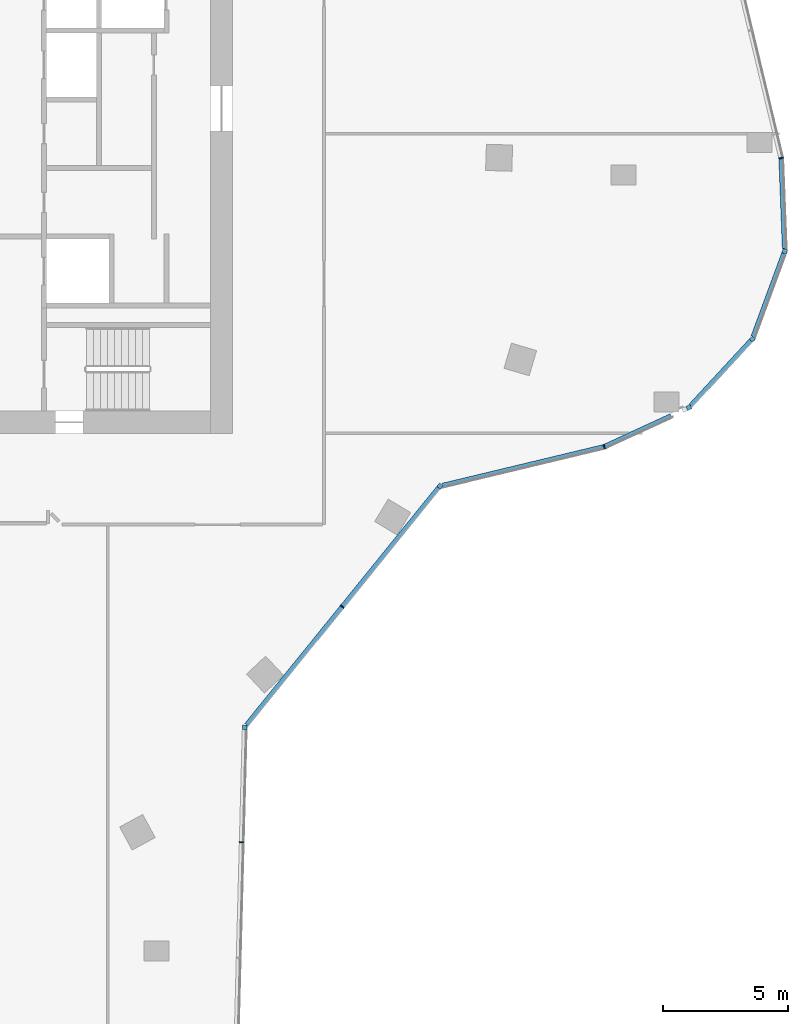
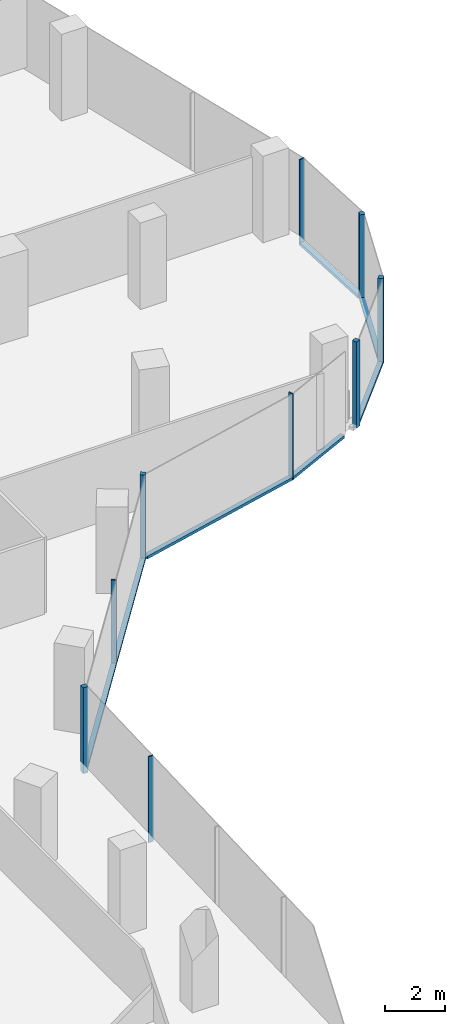
# One storey, part 9 of 26: 15 members, 7 elements without a shape of their own.
"""IFC4 building model written with IfcOpenShell, lengths in metres."""

from ifc_helpers import new_model, si_unit, direction, frame, origin, origin_2d, place, context, subcontext, project, spatial, rectangle, extrude, material, material_profile, profile_set, type_object, element, aggregate, save


model = new_model("IFC4")

# Units and contexts
model_context = context("Model", 3, precision=1e-05, world=origin(), true_north=direction((0.0, 1.0)))
body_context = subcontext(model_context, "Body", "Model", "MODEL_VIEW")
ifc_project = project(units=[si_unit("LENGTHUNIT", "METRE"), si_unit("AREAUNIT", "SQUARE_METRE"), si_unit("VOLUMEUNIT", "CUBIC_METRE"), si_unit("PLANEANGLEUNIT", "RADIAN"), si_unit("MASSUNIT", "GRAM", prefix="KILO")], contexts=[model_context])

# Site, building, storey
site_placement = place(None, origin())
site = spatial("IfcSite", under=ifc_project, at=site_placement, CompositionType="ELEMENT")
building_placement = place(site_placement, origin())
building = spatial("IfcBuilding", under=site, at=building_placement, Name="Orlundy Tower", CompositionType="ELEMENT")
storey_placement = place(building_placement, frame((0.0, 0.0, 214.0)))
storey = spatial("IfcBuildingStorey", under=building, at=storey_placement, Name="L56", CompositionType="ELEMENT", Elevation=214.0)

# Curtain wall, member
ifc_material_1 = material(Name="Aluminium bronze anodised", Category="aluminium")
curtain_wall_type = type_object("IfcCurtainWallType", Name="CW1 wall", PredefinedType="NOTDEFINED", material=ifc_material_1)
curtain_wall_1_placement = place(storey_placement, origin())
curtain_wall_1 = element("IfcCurtainWall", 1, at=curtain_wall_1_placement, inside=storey, type_object=curtain_wall_type, Name="CW1 run 013", PredefinedType="NOTDEFINED")
ifc_material_2 = material(Name="Aluminium bronze anodised", Category="aluminium")
ifc_material_profile_1 = material_profile(ifc_material_2, rectangle(XDim=0.179931640625, YDim=0.179931640625, at=origin_2d()), Name="CW1 corner post 180x180")
ifc_profile_set_1 = profile_set([ifc_material_profile_1], Name="Aluminium bronze anodised")
member_type_1 = type_object("IfcMemberType", Name="CW1 corner post 180x180", PredefinedType="MULLION", material=ifc_profile_set_1)
member_1_placement = place(storey_placement, frame((41.095703125, -4.707275390625, -0.39990234375), z_axis=(0.0, 0.0, 1.0), x_axis=(0.938167941859, -0.346180462863, 0.0)))
member_1 = element("IfcMember", 2, at=member_1_placement, type_object=member_type_1, Name="CW1 mullion 37", PredefinedType="MULLION", context=body_context, shape_type="SweptSolid", body=[
    extrude(rectangle(XDim=0.179931640625, YDim=0.179931640625, at=origin_2d()), origin(), (0.0, 0.0, 1.0), 3.47998046875),
])

curtain_wall_2_placement = place(storey_placement, origin())
curtain_wall_2 = element("IfcCurtainWall", 3, at=curtain_wall_2_placement, inside=storey, type_object=curtain_wall_type, Name="CW1 run 014", PredefinedType="NOTDEFINED")
member_2_placement = place(storey_placement, frame((39.80029296875, -8.218017578125, -0.39990234375), z_axis=(0.0, 0.0, 1.0), x_axis=(0.734348182738, -0.678772971258, 0.0)))
member_2 = element("IfcMember", 4, at=member_2_placement, type_object=member_type_1, Name="CW1 mullion 38", PredefinedType="MULLION", context=body_context, shape_type="SweptSolid", body=[
    extrude(rectangle(XDim=0.179931640625, YDim=0.179931640625, at=origin_2d()), origin(), (0.0, 0.0, 1.0), 3.47998046875),
])

curtain_wall_3_placement = place(storey_placement, origin())
curtain_wall_3 = element("IfcCurtainWall", 5, at=curtain_wall_3_placement, inside=storey, type_object=curtain_wall_type, Name="CW1 run 015", PredefinedType="NOTDEFINED")
member_3_placement = place(storey_placement, frame((37.260009765625, -10.96630859375, -0.39990234375), z_axis=(0.0, 0.0, 1.0), x_axis=(0.418715973467, -0.908117246595, 0.0)))
member_3 = element("IfcMember", 6, at=member_3_placement, type_object=member_type_1, Name="CW1 mullion 39", PredefinedType="MULLION", context=body_context, shape_type="SweptSolid", body=[
    extrude(rectangle(XDim=0.179931640625, YDim=0.179931640625, at=origin_2d()), origin(), (0.0, 0.0, 1.0), 3.47998046875),
])

curtain_wall_4_placement = place(storey_placement, origin())
curtain_wall_4 = element("IfcCurtainWall", 7, at=curtain_wall_4_placement, inside=storey, type_object=curtain_wall_type, Name="CW1 run 017", PredefinedType="NOTDEFINED")
member_4_placement = place(storey_placement, frame((27.293701171875, -14.1083984375, -0.39990234375), z_axis=(0.0, 0.0, 1.0), x_axis=(0.777119891969, -0.629352582823, 0.0)))
member_4 = element("IfcMember", 8, at=member_4_placement, type_object=member_type_1, Name="CW1 mullion 41", PredefinedType="MULLION", context=body_context, shape_type="SweptSolid", body=[
    extrude(rectangle(XDim=0.179931640625, YDim=0.179931640625, at=origin_2d()), origin(), (0.0, 0.0, 1.0), 3.47998046875),
])

curtain_wall_5_placement = place(storey_placement, origin())
curtain_wall_5 = element("IfcCurtainWall", 9, at=curtain_wall_5_placement, inside=storey, type_object=curtain_wall_type, Name="CW1 run 018", PredefinedType="NOTDEFINED")
member_5_placement = place(storey_placement, frame((19.47412109375, -23.763916015625, -0.39990234375), z_axis=(0.0, 0.0, 1.0), x_axis=(0.999657620616, -0.026165655813, 0.0)))
member_5 = element("IfcMember", 10, at=member_5_placement, type_object=member_type_1, Name="CW1 mullion 43", PredefinedType="MULLION", context=body_context, shape_type="SweptSolid", body=[
    extrude(rectangle(XDim=0.179931640625, YDim=0.179931640625, at=origin_2d()), origin(), (0.0, 0.0, 1.0), 3.47998046875),
])

curtain_wall_6_placement = place(storey_placement, origin())
curtain_wall_6 = element("IfcCurtainWall", 11, at=curtain_wall_6_placement, inside=storey, type_object=curtain_wall_type, Name="CW1 run 012", PredefinedType="NOTDEFINED")
ifc_material_3 = material(Name="Aluminium bronze anodised", Category="aluminium")
ifc_material_profile_2 = material_profile(ifc_material_3, rectangle(XDim=0.179931640625, YDim=0.050048828125, at=origin_2d()), Name="CW1 mullion 50x180")
ifc_profile_set_2 = profile_set([ifc_material_profile_2], Name="Aluminium bronze anodised")
member_type_2 = type_object("IfcMemberType", Name="CW1 mullion 50x180", PredefinedType="MULLION", material=ifc_profile_set_2)
member_6_placement = place(storey_placement, frame((40.949462890625, -0.9765625, -0.39990234375), z_axis=(0.0, 0.0, 1.0), x_axis=(0.990577259455, 0.136955076761, 0.0)))
member_6 = element("IfcMember", 12, at=member_6_placement, type_object=member_type_2, Name="CW1 mullion 36", PredefinedType="MULLION", context=body_context, shape_type="SweptSolid", body=[
    extrude(rectangle(XDim=0.179931640625, YDim=0.050048828125, at=origin_2d()), origin(), (0.0, 0.0, 1.0), 3.47998046875),
])

curtain_wall_7_placement = place(storey_placement, origin())
curtain_wall_7 = element("IfcCurtainWall", 13, at=curtain_wall_7_placement, inside=storey, type_object=curtain_wall_type, Name="CW1 run 016", PredefinedType="NOTDEFINED")
member_7_placement = place(storey_placement, frame((33.86962890625, -12.529541015625, -0.39990234375), z_axis=(0.0, 0.0, 1.0), x_axis=(0.327673002803, -0.944791195574, 0.0)))
member_7 = element("IfcMember", 14, at=member_7_placement, type_object=member_type_2, Name="CW1 mullion 40", PredefinedType="MULLION", context=body_context, shape_type="SweptSolid", body=[
    extrude(rectangle(XDim=0.179931640625, YDim=0.050048828125, at=origin_2d()), origin(), (0.0, 0.0, 1.0), 3.47998046875),
])

# Member
member_8_placement = place(storey_placement, frame((23.384033203125, -18.93603515625, -0.39990234375), z_axis=(0.0, 0.0, 1.0), x_axis=(0.777119891969, -0.629352582823, 0.0)))
member_8 = element("IfcMember", 15, at=member_8_placement, type_object=member_type_2, Name="CW1 mullion 42", PredefinedType="MULLION", context=body_context, shape_type="SweptSolid", body=[
    extrude(rectangle(XDim=0.179931640625, YDim=0.050048828125, at=origin_2d()), origin(), (0.0, 0.0, 1.0), 3.47998046875),
])

member_9_placement = place(storey_placement, frame((19.353759765625, -28.362548828125, -0.39990234375), z_axis=(0.0, 0.0, 1.0), x_axis=(0.999657620616, -0.026165655813, 0.0)))
member_9 = element("IfcMember", 16, at=member_9_placement, type_object=member_type_2, Name="CW1 mullion 44", PredefinedType="MULLION", context=body_context, shape_type="SweptSolid", body=[
    extrude(rectangle(XDim=0.179931640625, YDim=0.050048828125, at=origin_2d()), origin(), (0.0, 0.0, 1.0), 3.47998046875),
])

aggregate(curtain_wall_5, [member_5, member_9])

ifc_material_4 = material(Name="Aluminium bronze anodised", Category="aluminium")
ifc_material_profile_3 = material_profile(ifc_material_4, rectangle(XDim=0.179931640625, YDim=0.1201171875, at=origin_2d()), Name="CW1 transom 180x120")
ifc_profile_set_3 = profile_set([ifc_material_profile_3], Name="Aluminium bronze anodised")
member_type_3 = type_object("IfcMemberType", Name="CW1 transom 180x120", PredefinedType="USERDEFINED", material=ifc_profile_set_3)
member_10_placement = place(storey_placement, frame((40.95068359375, -1.001708984375, -0.340087890625), z_axis=(0.03907703141, -0.999236201114, 0.0), x_axis=(0.999236201114, 0.03907703141, 0.0)))
member_10 = element("IfcMember", 17, at=member_10_placement, type_object=member_type_3, Name="CW1 transom", ObjectType="TRANSOM", PredefinedType="USERDEFINED", context=body_context, shape_type="SweptSolid", body=[
    extrude(rectangle(XDim=0.179931640625, YDim=0.1201171875, at=origin_2d()), origin(), (0.0, 0.0, 1.0), 3.611083984375),
])

aggregate(curtain_wall_6, [member_6, member_10])

member_11_placement = place(storey_placement, frame((41.064453125, -4.791748046875, -0.340087890625), z_axis=(-0.346173212569, -0.938170617159, 0.0), x_axis=(0.938170617159, -0.346173212569, 0.0)))
member_11 = element("IfcMember", 18, at=member_11_placement, type_object=member_type_3, Name="CW1 transom", ObjectType="TRANSOM", PredefinedType="USERDEFINED", context=body_context, shape_type="SweptSolid", body=[
    extrude(rectangle(XDim=0.179931640625, YDim=0.1201171875, at=origin_2d()), origin(), (0.0, 0.0, 1.0), 3.554443359375),
])

aggregate(curtain_wall_1, [member_1, member_11])

member_12_placement = place(storey_placement, frame((39.7392578125, -8.283935546875, -0.340087890625), z_axis=(-0.678747720383, -0.73437152183, 0.0), x_axis=(0.73437152183, -0.678747720383, 0.0)))
member_12 = element("IfcMember", 19, at=member_12_placement, type_object=member_type_3, Name="CW1 transom", ObjectType="TRANSOM", PredefinedType="USERDEFINED", context=body_context, shape_type="SweptSolid", body=[
    extrude(rectangle(XDim=0.179931640625, YDim=0.1201171875, at=origin_2d()), origin(), (0.0, 0.0, 1.0), 3.55517578125),
])

aggregate(curtain_wall_2, [member_2, member_12])

member_13_placement = place(storey_placement, frame((36.549072265625, -11.2939453125, -0.340087890625), z_axis=(-0.908100993788, -0.418751220991, 0.0), x_axis=(0.418751220991, -0.908100993788, 0.0)))
member_13 = element("IfcMember", 20, at=member_13_placement, type_object=member_type_3, Name="CW1 transom", ObjectType="TRANSOM", PredefinedType="USERDEFINED", context=body_context, shape_type="SweptSolid", body=[
    extrude(rectangle(XDim=0.179931640625, YDim=0.1201171875, at=origin_2d()), origin(), (0.0, 0.0, 1.0), 2.925537109375),
])

aggregate(curtain_wall_3, [member_3, member_13])

member_14_placement = place(storey_placement, frame((33.84521484375, -12.535400390625, -0.340087890625), z_axis=(-0.972369902836, -0.233445437007, 0.0), x_axis=(0.233445437007, -0.972369902836, 0.0)))
member_14 = element("IfcMember", 21, at=member_14_placement, type_object=member_type_3, Name="CW1 transom", ObjectType="TRANSOM", PredefinedType="USERDEFINED", context=body_context, shape_type="SweptSolid", body=[
    extrude(rectangle(XDim=0.179931640625, YDim=0.1201171875, at=origin_2d()), origin(), (0.0, 0.0, 1.0), 6.624267578125),
])

aggregate(curtain_wall_7, [member_7, member_14])

member_15_placement = place(storey_placement, frame((27.237060546875, -14.17822265625, -0.340087890625), z_axis=(-0.629341885038, -0.777128555477, 0.0), x_axis=(0.777128555477, -0.629341885038, 0.0)))
member_15 = element("IfcMember", 22, at=member_15_placement, type_object=member_type_3, Name="CW1 transom", ObjectType="TRANSOM", PredefinedType="USERDEFINED", context=body_context, shape_type="SweptSolid", body=[
    extrude(rectangle(XDim=0.179931640625, YDim=0.1201171875, at=origin_2d()), origin(), (0.0, 0.0, 1.0), 12.221435546875),
])

aggregate(curtain_wall_4, [member_4, member_8, member_15])

save(model, "model.ifc")
